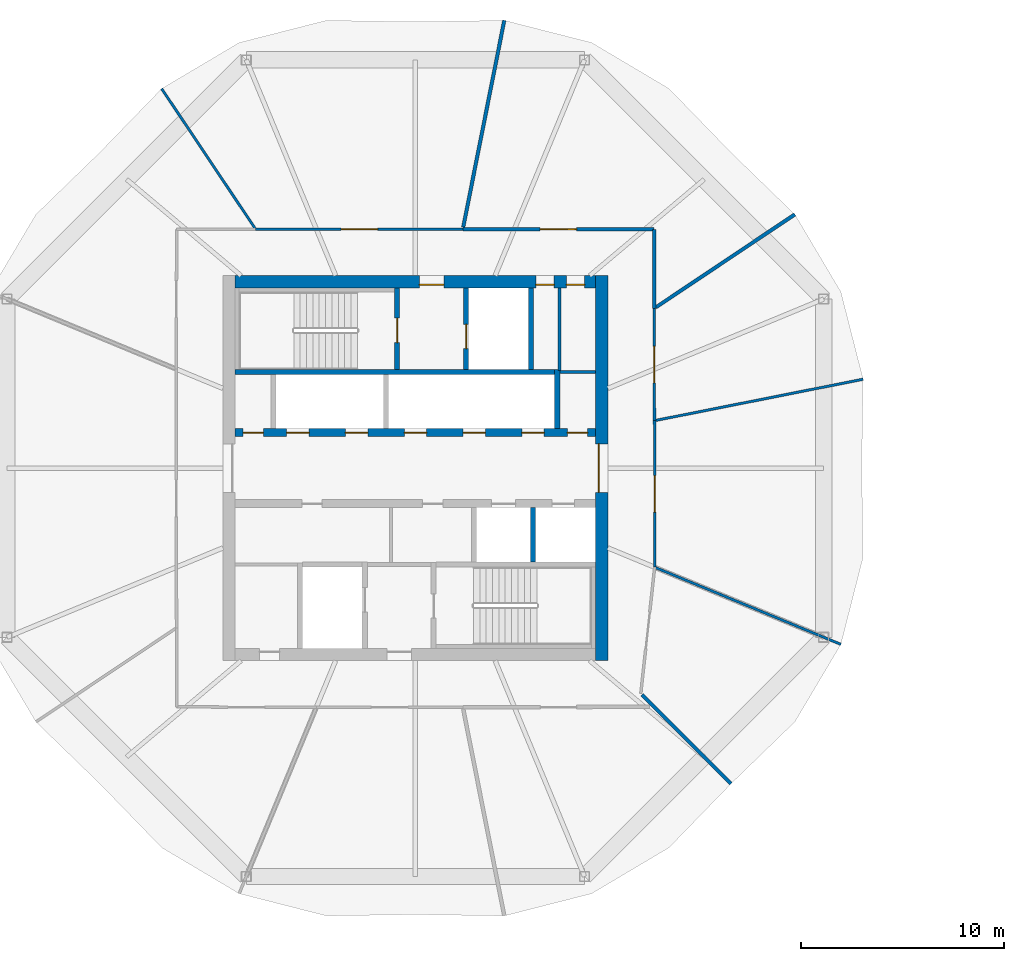
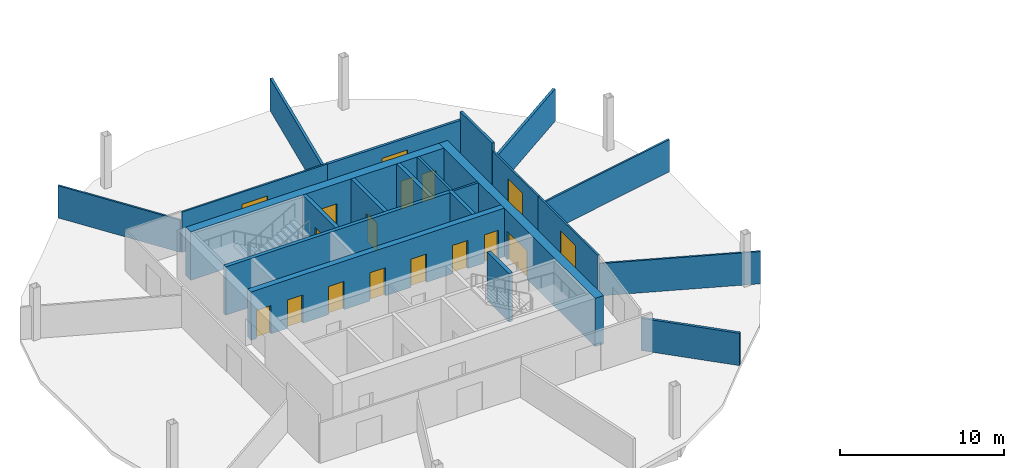
# One storey, part 6 of 10: 22 walls, 17 doors, 17 openings.
"""IFC4 building model written with IfcOpenShell, lengths in metres."""

from ifc_helpers import new_model, si_unit, direction, frame, frame_2d, origin, place, context, subcontext, project, spatial, rectangle, extrude, material, layer, layer_set, type_object, element, fill, save


model = new_model("IFC4")

# Units and contexts
model_context = context("Model", 3, precision=1e-05, world=origin(), true_north=direction((0.0, 1.0)))
body_context = subcontext(model_context, "Body", "Model", "MODEL_VIEW")
ifc_project = project(units=[si_unit("LENGTHUNIT", "METRE"), si_unit("AREAUNIT", "SQUARE_METRE"), si_unit("VOLUMEUNIT", "CUBIC_METRE"), si_unit("PLANEANGLEUNIT", "RADIAN"), si_unit("MASSUNIT", "GRAM", prefix="KILO")], contexts=[model_context])

# Site, building, storey
site_placement = place(None, origin())
site = spatial("IfcSite", under=ifc_project, at=site_placement, CompositionType="ELEMENT")
building_placement = place(site_placement, origin())
building = spatial("IfcBuilding", under=site, at=building_placement, Name="Ogive Gate Towers", CompositionType="ELEMENT")
storey_placement = place(building_placement, frame((0.0, 0.0, 169.5)))
storey = spatial("IfcBuildingStorey", under=building, at=storey_placement, Name="L40", CompositionType="ELEMENT", Elevation=169.5)

# Walls
ifc_material_1 = material(Name="Gypsum board acoustic partition")
ifc_layer_1 = layer(ifc_material_1, 0.175048828125)
ifc_layer_set_1 = layer_set([ifc_layer_1], Name="Acoustic partition 175")
wall_type_1 = type_object("IfcWallType", Name="Acoustic partition 175", PredefinedType="PARTITIONING", material=ifc_layer_set_1)
wall_1_placement = place(storey_placement, frame((-17.271728515625, 12.5234375, 0.0), z_axis=(0.0, 0.0, 1.0), x_axis=(-0.831276607887, -0.555858975982, 0.0)))
element("IfcWall", 1, at=wall_1_placement, inside=storey, type_object=wall_type_1, Name="Partition T1-L40-002", PredefinedType="PARTITIONING", context=body_context, shape_type="SweptSolid", body=[
    extrude(rectangle(XDim=8.26171875, YDim=0.175048828125, at=frame_2d((4.130859375, 0.0))), origin(), (0.0, 0.0, 1.0), 2.39990234375),
])
wall_2_placement = place(storey_placement, frame((-31.612548828125, 22.09814453125, 0.0), z_axis=(0.0, 0.0, 1.0), x_axis=(-0.194745070946, -0.980853891944, 0.0)))
element("IfcWall", 2, at=wall_2_placement, inside=storey, type_object=wall_type_1, Name="Partition T1-L40-003", PredefinedType="PARTITIONING", context=body_context, shape_type="SweptSolid", body=[
    extrude(rectangle(XDim=10.411376953125, YDim=0.175048828125, at=frame_2d((5.20556640625, 0.0))), origin(), (0.0, 0.0, 1.0), 2.39990234375),
])
wall_3_placement = place(storey_placement, frame((-20.423095703125, -15.576904296875, 0.0), z_axis=(0.0, 0.0, 1.0), x_axis=(-0.707106781187, 0.707106781187, 0.0)))
element("IfcWall", 3, at=wall_3_placement, inside=storey, type_object=wall_type_1, Name="Partition T1-L40-009", PredefinedType="PARTITIONING", context=body_context, shape_type="SweptSolid", body=[
    extrude(rectangle(XDim=6.21142578125, YDim=0.175048828125, at=frame_2d((3.105712890625, 0.0))), origin(), (0.0, 0.0, 1.0), 2.39990234375),
])

# Wall, opening, door
wall_4_placement = place(storey_placement, frame((-24.219970703125, 11.780029296875, 0.0), z_axis=(0.0, 0.0, 1.0), x_axis=(-0.999997694656, 0.002147250185, 0.0)))
wall_4 = element("IfcWall", 4, at=wall_4_placement, inside=storey, type_object=wall_type_1, Name="Partition T1-L40-022", PredefinedType="PARTITIONING", context=body_context, shape_type="SweptSolid", body=[
    extrude(rectangle(XDim=9.43701171875, YDim=0.175048828125, at=frame_2d((4.718505859375, 0.0))), origin(), (0.0, 0.0, 1.0), 3.0),
])
opening_1_placement = place(wall_4_placement, frame((3.819091796875, 0.0, 0.0)))
opening_1 = element("IfcOpeningElement", 5, at=opening_1_placement, cuts=wall_4, Name="Opening T1-L40-D10", PredefinedType="OPENING", context=body_context, shape_type="SweptSolid", body=[
    extrude(rectangle(XDim=1.800048828125, YDim=2.10009765625, at=frame_2d((0.89990234375, 1.050048828125))), frame((0.0, 0.09765625, 0.0), z_axis=(0.0, -1.0, 0.0), x_axis=(1.0, 0.0, 0.0)), (0.0, 0.0, 1.0), 0.195068359375),
])
ifc_material_2 = material(Name="Timber door", Category="wood")
door_type_1 = type_object("IfcDoorType", Name="Door pair 1800", OperationType="NOTDEFINED", PredefinedType="DOOR", material=ifc_material_2)
door_1_placement = place(opening_1_placement, origin())
door_1 = element("IfcDoor", 6, at=door_1_placement, inside=storey, type_object=door_type_1, Name="Door T1-L40-D10", OperationType="DOUBLE_DOOR_DOUBLE_SWING", OverallHeight=2.10009765625, OverallWidth=1.800048828125, PredefinedType="DOOR", context=body_context, shape_type="SweptSolid", body=[
    extrude(rectangle(XDim=1.800048828125, YDim=2.10009765625, at=frame_2d((0.89990234375, 1.050048828125))), frame((0.0, 0.02490234375, 0.0), z_axis=(0.0, -1.0, 0.0), x_axis=(1.0, 0.0, 0.0)), (0.0, 0.0, 1.0), 0.050048828125),
])
fill(opening_1, door_1)

# Wall
wall_5_placement = place(storey_placement, frame((-24.212158203125, 7.882568359375, 0.0), z_axis=(0.0, 0.0, 1.0), x_axis=(-0.002004506121, 0.999997990976, 0.0)))
element("IfcWall", 7, at=wall_5_placement, inside=storey, type_object=wall_type_1, Name="Partition T1-L40-023", PredefinedType="PARTITIONING", context=body_context, shape_type="SweptSolid", body=[
    extrude(rectangle(XDim=3.8974609375, YDim=0.175048828125, at=frame_2d((1.94873046875, 0.0))), origin(), (0.0, 0.0, 1.0), 3.60009765625),
])

# Wall, openings, doors
ifc_material_3 = material(Name="Concrete C60/75", Category="concrete")
ifc_layer_2 = layer(ifc_material_3, 0.60009765625)
ifc_layer_set_2 = layer_set([ifc_layer_2], Name="Core wall 600 mm")
wall_type_2 = type_object("IfcWallType", Name="Core wall 600 mm", PredefinedType="SHEAR", material=ifc_layer_set_2)
wall_6_placement = place(storey_placement, frame((-44.89990234375, 9.199951171875, 0.0), z_axis=(0.0, 0.0, 1.0), x_axis=(1.0, 0.0, 0.0)))
wall_6 = element("IfcWall", 8, at=wall_6_placement, inside=storey, type_object=wall_type_2, Name="T1 L40 Core wall 600 mm", PredefinedType="SHEAR", context=body_context, shape_type="SweptSolid", body=[
    extrude(rectangle(XDim=17.7998046875, YDim=0.60009765625, at=frame_2d((8.89990234375, 0.0))), origin(), (0.0, 0.0, 1.0), 3.60009765625),
])
opening_2_placement = place(wall_6_placement, frame((9.10009765625, 0.0, 0.0)))
opening_2 = element("IfcOpeningElement", 9, at=opening_2_placement, cuts=wall_6, Name="Opening KD-T1-L40-18", PredefinedType="OPENING", context=body_context, shape_type="SweptSolid", body=[
    extrude(rectangle(XDim=1.199951171875, YDim=2.10009765625, at=frame_2d((0.60009765625, 1.050048828125))), frame((0.0, 0.31005859375, 0.0), z_axis=(0.0, -1.0, 0.0), x_axis=(1.0, 0.0, 0.0)), (0.0, 0.0, 1.0), 0.6201171875),
])
opening_3_placement = place(wall_6_placement, frame((14.85009765625, 0.0, 0.0)))
opening_3 = element("IfcOpeningElement", 10, at=opening_3_placement, cuts=wall_6, Name="Opening KD-T1-L40-20", PredefinedType="OPENING", context=body_context, shape_type="SweptSolid", body=[
    extrude(rectangle(XDim=0.89990234375, YDim=2.10009765625, at=frame_2d((0.449951171875, 1.050048828125))), frame((0.0, 0.31005859375, 0.0), z_axis=(0.0, -1.0, 0.0), x_axis=(1.0, 0.0, 0.0)), (0.0, 0.0, 1.0), 0.6201171875),
])
opening_4_placement = place(wall_6_placement, frame((16.35009765625, 0.0, 0.0)))
opening_4 = element("IfcOpeningElement", 11, at=opening_4_placement, cuts=wall_6, Name="Opening KD-T1-L40-21", PredefinedType="OPENING", context=body_context, shape_type="SweptSolid", body=[
    extrude(rectangle(XDim=0.89990234375, YDim=2.10009765625, at=frame_2d((0.449951171875, 1.050048828125))), frame((0.0, 0.31005859375, 0.0), z_axis=(0.0, -1.0, 0.0), x_axis=(1.0, 0.0, 0.0)), (0.0, 0.0, 1.0), 0.6201171875),
])
door_type_2 = type_object("IfcDoorType", Name="Core WC door 900 x 2100", OperationType="NOTDEFINED", PredefinedType="DOOR", material=ifc_material_2)
door_2_placement = place(opening_3_placement, origin())
door_2 = element("IfcDoor", 12, at=door_2_placement, inside=storey, type_object=door_type_2, Name="T1 L40 Core door", OperationType="SINGLE_SWING_LEFT", OverallHeight=2.10009765625, OverallWidth=0.89990234375, PredefinedType="DOOR", context=body_context, shape_type="SweptSolid", body=[
    extrude(rectangle(XDim=0.89990234375, YDim=2.10009765625, at=frame_2d((0.449951171875, 1.050048828125))), frame((0.0, -0.125, 0.0), z_axis=(0.0, -1.0, 0.0), x_axis=(1.0, 0.0, 0.0)), (0.0, 0.0, 1.0), 0.050048828125),
])
fill(opening_3, door_2)
door_3_placement = place(opening_4_placement, origin())
door_3 = element("IfcDoor", 13, at=door_3_placement, inside=storey, type_object=door_type_2, Name="T1 L40 Core door", OperationType="SINGLE_SWING_RIGHT", OverallHeight=2.10009765625, OverallWidth=0.89990234375, PredefinedType="DOOR", context=body_context, shape_type="SweptSolid", body=[
    extrude(rectangle(XDim=0.89990234375, YDim=2.10009765625, at=frame_2d((0.449951171875, 1.050048828125))), frame((0.0, -0.125, 0.0), z_axis=(0.0, -1.0, 0.0), x_axis=(1.0, 0.0, 0.0)), (0.0, 0.0, 1.0), 0.050048828125),
])
fill(opening_4, door_3)
ifc_material_4 = material(Name="Steel fire door", Category="steel")
door_type_3 = type_object("IfcDoorType", Name="Core door FD60S 1200 x 2100", OperationType="NOTDEFINED", PredefinedType="DOOR", material=ifc_material_4)
door_4_placement = place(opening_2_placement, origin())
door_4 = element("IfcDoor", 14, at=door_4_placement, inside=storey, type_object=door_type_3, Name="T1 L40 Fire-fighting lobby door", OperationType="SINGLE_SWING_LEFT", OverallHeight=2.10009765625, OverallWidth=1.199951171875, PredefinedType="DOOR", context=body_context, shape_type="SweptSolid", body=[
    extrude(rectangle(XDim=1.199951171875, YDim=2.10009765625, at=frame_2d((0.60009765625, 1.050048828125))), frame((0.0, -0.125, 0.0), z_axis=(0.0, -1.0, 0.0), x_axis=(1.0, 0.0, 0.0)), (0.0, 0.0, 1.0), 0.050048828125),
])
fill(opening_2, door_4)

# Wall, opening, door
wall_7_placement = place(storey_placement, frame((-26.800048828125, -9.5, 0.0), z_axis=(0.0, 0.0, 1.0), x_axis=(0.0, 1.0, 0.0)))
wall_7 = element("IfcWall", 15, at=wall_7_placement, inside=storey, type_object=wall_type_2, Name="T1 L40 Core wall 600 mm", PredefinedType="SHEAR", context=body_context, shape_type="SweptSolid", body=[
    extrude(rectangle(XDim=19.0, YDim=0.60009765625, at=frame_2d((9.5, 0.0))), origin(), (0.0, 0.0, 1.0), 3.60009765625),
])
opening_5_placement = place(wall_7_placement, frame((8.300048828125, 0.0, 0.0)))
opening_5 = element("IfcOpeningElement", 16, at=opening_5_placement, cuts=wall_7, Name="Opening KD-T1-L40-02", PredefinedType="OPENING", context=body_context, shape_type="SweptSolid", body=[
    extrude(rectangle(XDim=2.39990234375, YDim=2.10009765625, at=frame_2d((1.199951171875, 1.050048828125))), frame((0.0, 0.31005859375, 0.0), z_axis=(0.0, -1.0, 0.0), x_axis=(1.0, 0.0, 0.0)), (0.0, 0.0, 1.0), 0.6201171875),
])
door_type_4 = type_object("IfcDoorType", Name="Core double door FD60S 2400 x 2100", OperationType="DOUBLE_DOOR_SINGLE_SWING", PredefinedType="DOOR", material=ifc_material_4)
door_5_placement = place(opening_5_placement, origin())
door_5 = element("IfcDoor", 17, at=door_5_placement, inside=storey, type_object=door_type_4, Name="T1 L40 Core door double", OperationType="DOUBLE_DOOR_SINGLE_SWING", OverallHeight=2.10009765625, OverallWidth=2.39990234375, PredefinedType="DOOR", context=body_context, shape_type="SweptSolid", body=[
    extrude(rectangle(XDim=2.39990234375, YDim=2.10009765625, at=frame_2d((1.199951171875, 1.050048828125))), frame((0.0, 0.1748046875, 0.0), z_axis=(0.0, -1.0, 0.0), x_axis=(1.0, 0.0, 0.0)), (0.0, 0.0, 1.0), 0.050048828125),
])
fill(opening_5, door_5)

# Walls
ifc_material_5 = material(Name="Gypsum board partition")
ifc_layer_3 = layer(ifc_material_5, 0.125)
ifc_layer_set_3 = layer_set([ifc_layer_3], Name="Partition 125")
wall_type_3 = type_object("IfcWallType", Name="Partition 125", PredefinedType="PARTITIONING", material=ifc_layer_set_3)
wall_8_placement = place(storey_placement, frame((-13.90185546875, 4.387451171875, 0.0), z_axis=(0.0, 0.0, 1.0), x_axis=(-0.980853242428, -0.194748342274, 0.0)))
element("IfcWall", 18, at=wall_8_placement, inside=storey, type_object=wall_type_3, Name="Partition T1-L40-001", PredefinedType="PARTITIONING", context=body_context, shape_type="SweptSolid", body=[
    extrude(rectangle(XDim=10.436279296875, YDim=0.125, at=frame_2d((5.21826171875, 0.0))), origin(), (0.0, 0.0, 1.0), 2.39990234375),
])
wall_9_placement = place(storey_placement, frame((-48.5234375, 18.728271484375, 0.0), z_axis=(0.0, 0.0, 1.0), x_axis=(0.555862276256, -0.831274401047, 0.0)))
element("IfcWall", 19, at=wall_9_placement, inside=storey, type_object=wall_type_3, Name="Partition T1-L40-004", PredefinedType="PARTITIONING", context=body_context, shape_type="SweptSolid", body=[
    extrude(rectangle(XDim=8.28662109375, YDim=0.125, at=frame_2d((4.143310546875, 0.0))), origin(), (0.0, 0.0, 1.0), 2.39990234375),
])
wall_10_placement = place(storey_placement, frame((-15.000244140625, -8.698486328125, 0.0), z_axis=(0.0, 0.0, 1.0), x_axis=(-0.923875671633, 0.382692753216, 0.0)))
element("IfcWall", 20, at=wall_10_placement, inside=storey, type_object=wall_type_3, Name="Partition T1-L40-010", PredefinedType="PARTITIONING", context=body_context, shape_type="SweptSolid", body=[
    extrude(rectangle(XDim=9.886474609375, YDim=0.125, at=frame_2d((4.943359375, 0.0))), origin(), (0.0, 0.0, 1.0), 2.39990234375),
])

# Wall, opening, door
wall_11_placement = place(storey_placement, frame((-33.656982421875, 11.80029296875, 0.0), z_axis=(0.0, 0.0, 1.0), x_axis=(-0.999999258667, -0.001217647841, 0.0)))
wall_11 = element("IfcWall", 21, at=wall_11_placement, inside=storey, type_object=wall_type_3, Name="Partition T1-L40-011", PredefinedType="PARTITIONING", context=body_context, shape_type="SweptSolid", body=[
    extrude(rectangle(XDim=10.2255859375, YDim=0.125, at=frame_2d((5.11279296875, 0.0))), origin(), (0.0, 0.0, 1.0), 3.0),
])
opening_6_placement = place(wall_11_placement, frame((4.212890625, 0.0, 0.0)))
opening_6 = element("IfcOpeningElement", 22, at=opening_6_placement, cuts=wall_11, Name="Opening T1-L40-D01", PredefinedType="OPENING", context=body_context, shape_type="SweptSolid", body=[
    extrude(rectangle(XDim=1.800048828125, YDim=2.10009765625, at=frame_2d((0.89990234375, 1.050048828125))), frame((0.0, 0.072509765625, 0.0), z_axis=(0.0, -1.0, 0.0), x_axis=(1.0, 0.0, 0.0)), (0.0, 0.0, 1.0), 0.14501953125),
])
door_6_placement = place(opening_6_placement, origin())
door_6 = element("IfcDoor", 23, at=door_6_placement, inside=storey, type_object=door_type_1, Name="Door T1-L40-D01", OperationType="DOUBLE_DOOR_DOUBLE_SWING", OverallHeight=2.10009765625, OverallWidth=1.800048828125, PredefinedType="DOOR", context=body_context, shape_type="SweptSolid", body=[
    extrude(rectangle(XDim=1.800048828125, YDim=2.10009765625, at=frame_2d((0.89990234375, 1.050048828125))), frame((0.0, 0.02490234375, 0.0), z_axis=(0.0, -1.0, 0.0), x_axis=(1.0, 0.0, 0.0)), (0.0, 0.0, 1.0), 0.050048828125),
])
fill(opening_6, door_6)

wall_12_placement = place(storey_placement, frame((-24.19189453125, -4.89111328125, 0.0), z_axis=(0.0, 0.0, 1.0), x_axis=(-0.001079949423, 0.999999416854, 0.0)))
wall_12 = element("IfcWall", 24, at=wall_12_placement, inside=storey, type_object=wall_type_3, Name="Partition T1-L40-020", PredefinedType="PARTITIONING", context=body_context, shape_type="SweptSolid", body=[
    extrude(rectangle(XDim=7.234130859375, YDim=0.125, at=frame_2d((3.6171875, 0.0))), origin(), (0.0, 0.0, 1.0), 3.0),
])
opening_7_placement = place(wall_12_placement, frame((2.717041015625, 0.0, 0.0)))
opening_7 = element("IfcOpeningElement", 25, at=opening_7_placement, cuts=wall_12, Name="Opening T1-L40-D08", PredefinedType="OPENING", context=body_context, shape_type="SweptSolid", body=[
    extrude(rectangle(XDim=1.800048828125, YDim=2.10009765625, at=frame_2d((0.89990234375, 1.050048828125))), frame((0.0, 0.072509765625, 0.0), z_axis=(0.0, -1.0, 0.0), x_axis=(1.0, 0.0, 0.0)), (0.0, 0.0, 1.0), 0.14501953125),
])
door_7_placement = place(opening_7_placement, origin())
door_7 = element("IfcDoor", 26, at=door_7_placement, inside=storey, type_object=door_type_1, Name="Door T1-L40-D08", OperationType="DOUBLE_DOOR_DOUBLE_SWING", OverallHeight=2.10009765625, OverallWidth=1.800048828125, PredefinedType="DOOR", context=body_context, shape_type="SweptSolid", body=[
    extrude(rectangle(XDim=1.800048828125, YDim=2.10009765625, at=frame_2d((0.89990234375, 1.050048828125))), frame((0.0, 0.02490234375, 0.0), z_axis=(0.0, -1.0, 0.0), x_axis=(1.0, 0.0, 0.0)), (0.0, 0.0, 1.0), 0.050048828125),
])
fill(opening_7, door_7)

wall_13_placement = place(storey_placement, frame((-24.19970703125, 2.343017578125, 0.0), z_axis=(0.0, 0.0, 1.0), x_axis=(-0.002247680528, 0.999997473963, 0.0)))
wall_13 = element("IfcWall", 27, at=wall_13_placement, inside=storey, type_object=wall_type_3, Name="Partition T1-L40-021", PredefinedType="PARTITIONING", context=body_context, shape_type="SweptSolid", body=[
    extrude(rectangle(XDim=5.53955078125, YDim=0.125, at=frame_2d((2.769775390625, 0.0))), origin(), (0.0, 0.0, 1.0), 3.0),
])
opening_8_placement = place(wall_13_placement, frame((1.8701171875, 0.0, 0.0)))
opening_8 = element("IfcOpeningElement", 28, at=opening_8_placement, cuts=wall_13, Name="Opening T1-L40-D09", PredefinedType="OPENING", context=body_context, shape_type="SweptSolid", body=[
    extrude(rectangle(XDim=1.800048828125, YDim=2.10009765625, at=frame_2d((0.89990234375, 1.050048828125))), frame((0.0, 0.072509765625, 0.0), z_axis=(0.0, -1.0, 0.0), x_axis=(1.0, 0.0, 0.0)), (0.0, 0.0, 1.0), 0.14501953125),
])
door_8_placement = place(opening_8_placement, origin())
door_8 = element("IfcDoor", 29, at=door_8_placement, inside=storey, type_object=door_type_1, Name="Door T1-L40-D09", OperationType="DOUBLE_DOOR_DOUBLE_SWING", OverallHeight=2.10009765625, OverallWidth=1.800048828125, PredefinedType="DOOR", context=body_context, shape_type="SweptSolid", body=[
    extrude(rectangle(XDim=1.800048828125, YDim=2.10009765625, at=frame_2d((0.89990234375, 1.050048828125))), frame((0.0, 0.02490234375, 0.0), z_axis=(0.0, -1.0, 0.0), x_axis=(1.0, 0.0, 0.0)), (0.0, 0.0, 1.0), 0.050048828125),
])
fill(opening_8, door_8)

# Walls
ifc_layer_4 = layer(ifc_material_5, 0.14990234375)
ifc_layer_set_4 = layer_set([ifc_layer_4], Name="Room partition 150 mm")
wall_type_4 = type_object("IfcWallType", Name="Room partition 150 mm", PredefinedType="PARTITIONING", material=ifc_layer_set_4)
wall_14_placement = place(storey_placement, frame((-28.875, 4.75, 0.0), z_axis=(0.0, 0.0, 1.0), x_axis=(1.0, 0.0, 0.0)))
element("IfcWall", 30, at=wall_14_placement, inside=storey, type_object=wall_type_4, Name="T1 L40 Room partition 150 mm", PredefinedType="PARTITIONING", context=body_context, shape_type="SweptSolid", body=[
    extrude(rectangle(XDim=1.77490234375, YDim=0.14990234375, at=frame_2d((0.887451171875, 0.0))), origin(), (0.0, 0.0, 1.0), 3.60009765625),
])
wall_15_placement = place(storey_placement, frame((-28.89990234375, 4.824951171875, 0.0), z_axis=(0.0, 0.0, 1.0), x_axis=(0.0, 1.0, 0.0)))
element("IfcWall", 31, at=wall_15_placement, inside=storey, type_object=wall_type_4, Name="T1 L40 Room partition 150 mm", PredefinedType="PARTITIONING", context=body_context, shape_type="SweptSolid", body=[
    extrude(rectangle(XDim=4.074951171875, YDim=0.14990234375, at=frame_2d((2.03759765625, 0.0))), origin(), (0.0, 0.0, 1.0), 3.60009765625),
])
ifc_layer_5 = layer(ifc_material_3, 0.25)
ifc_layer_set_5 = layer_set([ifc_layer_5], Name="Shaft wall 250 mm")
wall_type_5 = type_object("IfcWallType", Name="Shaft wall 250 mm", PredefinedType="SHEAR", material=ifc_layer_set_5)
wall_16_placement = place(storey_placement, frame((-44.89990234375, 4.75, 0.0), z_axis=(0.0, 0.0, 1.0), x_axis=(1.0, 0.0, 0.0)))
element("IfcWall", 32, at=wall_16_placement, inside=storey, type_object=wall_type_5, Name="T1 L40 Shaft wall 250 mm", PredefinedType="SHEAR", context=body_context, shape_type="SweptSolid", body=[
    extrude(rectangle(XDim=15.77490234375, YDim=0.25, at=frame_2d((7.887451171875, 0.0))), origin(), (0.0, 0.0, 1.0), 3.60009765625),
])

# Wall, opening, door
wall_17_placement = place(storey_placement, frame((-36.89990234375, 4.875, 0.0), z_axis=(0.0, 0.0, 1.0), x_axis=(0.0, 1.0, 0.0)))
wall_17 = element("IfcWall", 33, at=wall_17_placement, inside=storey, type_object=wall_type_5, Name="T1 L40 Shaft wall 250 mm", PredefinedType="SHEAR", context=body_context, shape_type="SweptSolid", body=[
    extrude(rectangle(XDim=4.02490234375, YDim=0.25, at=frame_2d((2.012451171875, 0.0))), origin(), (0.0, 0.0, 1.0), 3.60009765625),
])
opening_9_placement = place(wall_17_placement, frame((1.324951171875, 0.0, 0.0)))
opening_9 = element("IfcOpeningElement", 34, at=opening_9_placement, cuts=wall_17, Name="Opening KD-T1-L40-16", PredefinedType="OPENING", context=body_context, shape_type="SweptSolid", body=[
    extrude(rectangle(XDim=1.199951171875, YDim=2.10009765625, at=frame_2d((0.60009765625, 1.050048828125))), frame((0.0, 0.135009765625, 0.0), z_axis=(0.0, -1.0, 0.0), x_axis=(1.0, 0.0, 0.0)), (0.0, 0.0, 1.0), 0.27001953125),
])
door_9_placement = place(opening_9_placement, origin())
door_9 = element("IfcDoor", 35, at=door_9_placement, inside=storey, type_object=door_type_3, Name="T1 L40 Stair door", OperationType="SINGLE_SWING_LEFT", OverallHeight=2.10009765625, OverallWidth=1.199951171875, PredefinedType="DOOR", context=body_context, shape_type="SweptSolid", body=[
    extrude(rectangle(XDim=1.199951171875, YDim=2.10009765625, at=frame_2d((0.60009765625, 1.050048828125))), frame((0.0, 0.02490234375, 0.0), z_axis=(0.0, -1.0, 0.0), x_axis=(1.0, 0.0, 0.0)), (0.0, 0.0, 1.0), 0.050048828125),
])
fill(opening_9, door_9)

wall_18_placement = place(storey_placement, frame((-33.5, 4.875, 0.0), z_axis=(0.0, 0.0, 1.0), x_axis=(0.0, 1.0, 0.0)))
wall_18 = element("IfcWall", 36, at=wall_18_placement, inside=storey, type_object=wall_type_5, Name="T1 L40 Shaft wall 250 mm", PredefinedType="SHEAR", context=body_context, shape_type="SweptSolid", body=[
    extrude(rectangle(XDim=4.02490234375, YDim=0.25, at=frame_2d((2.012451171875, 0.0))), origin(), (0.0, 0.0, 1.0), 3.60009765625),
])
opening_10_placement = place(wall_18_placement, frame((1.02490234375, 0.0, 0.0)))
opening_10 = element("IfcOpeningElement", 37, at=opening_10_placement, cuts=wall_18, Name="Opening LD-T1-L40-12", PredefinedType="OPENING", context=body_context, shape_type="SweptSolid", body=[
    extrude(rectangle(XDim=1.199951171875, YDim=2.10009765625, at=frame_2d((0.60009765625, 1.050048828125))), frame((0.0, 0.135009765625, 0.0), z_axis=(0.0, -1.0, 0.0), x_axis=(1.0, 0.0, 0.0)), (0.0, 0.0, 1.0), 0.27001953125),
])
ifc_material_6 = material(Name="Stainless steel landing door", Category="steel")
door_type_5 = type_object("IfcDoorType", Name="Landing door 1200 x 2100", OperationType="SLIDING_TO_LEFT", PredefinedType="DOOR", material=ifc_material_6)
door_10_placement = place(opening_10_placement, origin())
door_10 = element("IfcDoor", 38, at=door_10_placement, inside=storey, type_object=door_type_5, Name="T1 L40 Lift landing door FF1", OperationType="SLIDING_TO_LEFT", OverallHeight=2.10009765625, OverallWidth=1.199951171875, PredefinedType="DOOR", context=body_context, shape_type="SweptSolid", body=[
    extrude(rectangle(XDim=1.199951171875, YDim=2.10009765625, at=frame_2d((0.60009765625, 1.050048828125))), frame((0.0, 0.02490234375, 0.0), z_axis=(0.0, -1.0, 0.0), x_axis=(1.0, 0.0, 0.0)), (0.0, 0.0, 1.0), 0.050048828125),
])
fill(opening_10, door_10)

# Walls
wall_19_placement = place(storey_placement, frame((-30.300048828125, 4.875, 0.0), z_axis=(0.0, 0.0, 1.0), x_axis=(0.0, 1.0, 0.0)))
element("IfcWall", 39, at=wall_19_placement, inside=storey, type_object=wall_type_5, Name="T1 L40 Shaft wall 250 mm", PredefinedType="SHEAR", context=body_context, shape_type="SweptSolid", body=[
    extrude(rectangle(XDim=4.02490234375, YDim=0.25, at=frame_2d((2.012451171875, 0.0))), origin(), (0.0, 0.0, 1.0), 3.60009765625),
])
wall_20_placement = place(storey_placement, frame((-30.199951171875, -4.625, 0.0), z_axis=(0.0, 0.0, 1.0), x_axis=(0.0, 1.0, 0.0)))
element("IfcWall", 40, at=wall_20_placement, inside=storey, type_object=wall_type_5, Name="T1 L40 Shaft wall 250 mm", PredefinedType="SHEAR", context=body_context, shape_type="SweptSolid", body=[
    extrude(rectangle(XDim=2.675048828125, YDim=0.25, at=frame_2d((1.33740234375, 0.0))), origin(), (0.0, 0.0, 1.0), 3.60009765625),
])
wall_21_placement = place(storey_placement, frame((-29.0, 1.949951171875, 0.0), z_axis=(0.0, 0.0, 1.0), x_axis=(0.0, 1.0, 0.0)))
element("IfcWall", 41, at=wall_21_placement, inside=storey, type_object=wall_type_5, Name="T1 L40 Shaft wall 250 mm", PredefinedType="SHEAR", context=body_context, shape_type="SweptSolid", body=[
    extrude(rectangle(XDim=2.925048828125, YDim=0.25, at=frame_2d((1.46240234375, 0.0))), origin(), (0.0, 0.0, 1.0), 3.60009765625),
])

# Wall, openings, doors
ifc_layer_6 = layer(ifc_material_3, 0.39990234375)
ifc_layer_set_6 = layer_set([ifc_layer_6], Name="Spine wall 400 mm")
wall_type_6 = type_object("IfcWallType", Name="Spine wall 400 mm", PredefinedType="SHEAR", material=ifc_layer_set_6)
wall_22_placement = place(storey_placement, frame((-44.89990234375, 1.75, 0.0), z_axis=(0.0, 0.0, 1.0), x_axis=(1.0, 0.0, 0.0)))
wall_22 = element("IfcWall", 42, at=wall_22_placement, inside=storey, type_object=wall_type_6, Name="T1 L40 Spine wall 400 mm", PredefinedType="SHEAR", context=body_context, shape_type="SweptSolid", body=[
    extrude(rectangle(XDim=17.7998046875, YDim=0.39990234375, at=frame_2d((8.89990234375, 0.0))), origin(), (0.0, 0.0, 1.0), 3.60009765625),
])
opening_11_placement = place(wall_22_placement, frame((0.39990234375, 0.0, 0.0)))
opening_11 = element("IfcOpeningElement", 43, at=opening_11_placement, cuts=wall_22, Name="Opening KD-T1-L40-03", PredefinedType="OPENING", context=body_context, shape_type="SweptSolid", body=[
    extrude(rectangle(XDim=1.0, YDim=2.10009765625, at=frame_2d((0.5, 1.050048828125))), frame((0.0, 0.2099609375, 0.0), z_axis=(0.0, -1.0, 0.0), x_axis=(1.0, 0.0, 0.0)), (0.0, 0.0, 1.0), 0.419921875),
])
opening_12_placement = place(wall_22_placement, frame((2.550048828125, 0.0, 0.0)))
opening_12 = element("IfcOpeningElement", 44, at=opening_12_placement, cuts=wall_22, Name="Opening LD-T1-L40-04", PredefinedType="OPENING", context=body_context, shape_type="SweptSolid", body=[
    extrude(rectangle(XDim=1.10009765625, YDim=2.10009765625, at=frame_2d((0.550048828125, 1.050048828125))), frame((0.0, 0.2099609375, 0.0), z_axis=(0.0, -1.0, 0.0), x_axis=(1.0, 0.0, 0.0)), (0.0, 0.0, 1.0), 0.419921875),
])
opening_13_placement = place(wall_22_placement, frame((5.449951171875, 0.0, 0.0)))
opening_13 = element("IfcOpeningElement", 45, at=opening_13_placement, cuts=wall_22, Name="Opening LD-T1-L40-05", PredefinedType="OPENING", context=body_context, shape_type="SweptSolid", body=[
    extrude(rectangle(XDim=1.10009765625, YDim=2.10009765625, at=frame_2d((0.550048828125, 1.050048828125))), frame((0.0, 0.2099609375, 0.0), z_axis=(0.0, -1.0, 0.0), x_axis=(1.0, 0.0, 0.0)), (0.0, 0.0, 1.0), 0.419921875),
])
opening_14_placement = place(wall_22_placement, frame((8.35009765625, 0.0, 0.0)))
opening_14 = element("IfcOpeningElement", 46, at=opening_14_placement, cuts=wall_22, Name="Opening LD-T1-L40-06", PredefinedType="OPENING", context=body_context, shape_type="SweptSolid", body=[
    extrude(rectangle(XDim=1.10009765625, YDim=2.10009765625, at=frame_2d((0.550048828125, 1.050048828125))), frame((0.0, 0.2099609375, 0.0), z_axis=(0.0, -1.0, 0.0), x_axis=(1.0, 0.0, 0.0)), (0.0, 0.0, 1.0), 0.419921875),
])
opening_15_placement = place(wall_22_placement, frame((11.25, 0.0, 0.0)))
opening_15 = element("IfcOpeningElement", 47, at=opening_15_placement, cuts=wall_22, Name="Opening LD-T1-L40-07", PredefinedType="OPENING", context=body_context, shape_type="SweptSolid", body=[
    extrude(rectangle(XDim=1.10009765625, YDim=2.10009765625, at=frame_2d((0.550048828125, 1.050048828125))), frame((0.0, 0.2099609375, 0.0), z_axis=(0.0, -1.0, 0.0), x_axis=(1.0, 0.0, 0.0)), (0.0, 0.0, 1.0), 0.419921875),
])
opening_16_placement = place(wall_22_placement, frame((14.14990234375, 0.0, 0.0)))
opening_16 = element("IfcOpeningElement", 48, at=opening_16_placement, cuts=wall_22, Name="Opening LD-T1-L40-08", PredefinedType="OPENING", context=body_context, shape_type="SweptSolid", body=[
    extrude(rectangle(XDim=1.10009765625, YDim=2.10009765625, at=frame_2d((0.550048828125, 1.050048828125))), frame((0.0, 0.2099609375, 0.0), z_axis=(0.0, -1.0, 0.0), x_axis=(1.0, 0.0, 0.0)), (0.0, 0.0, 1.0), 0.419921875),
])
opening_17_placement = place(wall_22_placement, frame((16.39990234375, 0.0, 0.0)))
opening_17 = element("IfcOpeningElement", 49, at=opening_17_placement, cuts=wall_22, Name="Opening KD-T1-L40-09", PredefinedType="OPENING", context=body_context, shape_type="SweptSolid", body=[
    extrude(rectangle(XDim=1.0, YDim=2.10009765625, at=frame_2d((0.5, 1.050048828125))), frame((0.0, 0.2099609375, 0.0), z_axis=(0.0, -1.0, 0.0), x_axis=(1.0, 0.0, 0.0)), (0.0, 0.0, 1.0), 0.419921875),
])
door_type_6 = type_object("IfcDoorType", Name="Core door FD60S 1000 x 2100", OperationType="NOTDEFINED", PredefinedType="DOOR", material=ifc_material_4)
door_11_placement = place(opening_11_placement, origin())
door_11 = element("IfcDoor", 50, at=door_11_placement, inside=storey, type_object=door_type_6, Name="T1 L40 Core door", OperationType="SINGLE_SWING_RIGHT", OverallHeight=2.10009765625, OverallWidth=1.0, PredefinedType="DOOR", context=body_context, shape_type="SweptSolid", body=[
    extrude(rectangle(XDim=1.0, YDim=2.10009765625, at=frame_2d((0.5, 1.050048828125))), frame((0.0, 0.02490234375, 0.0), z_axis=(0.0, -1.0, 0.0), x_axis=(1.0, 0.0, 0.0)), (0.0, 0.0, 1.0), 0.050048828125),
])
fill(opening_11, door_11)
door_12_placement = place(opening_17_placement, origin())
door_12 = element("IfcDoor", 51, at=door_12_placement, inside=storey, type_object=door_type_6, Name="T1 L40 Core door", OperationType="SINGLE_SWING_RIGHT", OverallHeight=2.10009765625, OverallWidth=1.0, PredefinedType="DOOR", context=body_context, shape_type="SweptSolid", body=[
    extrude(rectangle(XDim=1.0, YDim=2.10009765625, at=frame_2d((0.5, 1.050048828125))), frame((0.0, 0.02490234375, 0.0), z_axis=(0.0, -1.0, 0.0), x_axis=(1.0, 0.0, 0.0)), (0.0, 0.0, 1.0), 0.050048828125),
])
fill(opening_17, door_12)
door_type_7 = type_object("IfcDoorType", Name="Landing door 1100 x 2100", OperationType="SLIDING_TO_LEFT", PredefinedType="DOOR", material=ifc_material_6)
door_13_placement = place(opening_12_placement, origin())
door_13 = element("IfcDoor", 52, at=door_13_placement, inside=storey, type_object=door_type_7, Name="T1 L40 Lift landing door B1", OperationType="SLIDING_TO_LEFT", OverallHeight=2.10009765625, OverallWidth=1.10009765625, PredefinedType="DOOR", context=body_context, shape_type="SweptSolid", body=[
    extrude(rectangle(XDim=1.10009765625, YDim=2.10009765625, at=frame_2d((0.550048828125, 1.050048828125))), frame((0.0, 0.02490234375, 0.0), z_axis=(0.0, -1.0, 0.0), x_axis=(1.0, 0.0, 0.0)), (0.0, 0.0, 1.0), 0.050048828125),
])
fill(opening_12, door_13)
door_14_placement = place(opening_13_placement, origin())
door_14 = element("IfcDoor", 53, at=door_14_placement, inside=storey, type_object=door_type_7, Name="T1 L40 Lift landing door B2", OperationType="SLIDING_TO_LEFT", OverallHeight=2.10009765625, OverallWidth=1.10009765625, PredefinedType="DOOR", context=body_context, shape_type="SweptSolid", body=[
    extrude(rectangle(XDim=1.10009765625, YDim=2.10009765625, at=frame_2d((0.550048828125, 1.050048828125))), frame((0.0, 0.02490234375, 0.0), z_axis=(0.0, -1.0, 0.0), x_axis=(1.0, 0.0, 0.0)), (0.0, 0.0, 1.0), 0.050048828125),
])
fill(opening_13, door_14)
door_15_placement = place(opening_14_placement, origin())
door_15 = element("IfcDoor", 54, at=door_15_placement, inside=storey, type_object=door_type_7, Name="T1 L40 Lift landing door B3", OperationType="SLIDING_TO_LEFT", OverallHeight=2.10009765625, OverallWidth=1.10009765625, PredefinedType="DOOR", context=body_context, shape_type="SweptSolid", body=[
    extrude(rectangle(XDim=1.10009765625, YDim=2.10009765625, at=frame_2d((0.550048828125, 1.050048828125))), frame((0.0, 0.02490234375, 0.0), z_axis=(0.0, -1.0, 0.0), x_axis=(1.0, 0.0, 0.0)), (0.0, 0.0, 1.0), 0.050048828125),
])
fill(opening_14, door_15)
door_16_placement = place(opening_15_placement, origin())
door_16 = element("IfcDoor", 55, at=door_16_placement, inside=storey, type_object=door_type_7, Name="T1 L40 Lift landing door B4", OperationType="SLIDING_TO_LEFT", OverallHeight=2.10009765625, OverallWidth=1.10009765625, PredefinedType="DOOR", context=body_context, shape_type="SweptSolid", body=[
    extrude(rectangle(XDim=1.10009765625, YDim=2.10009765625, at=frame_2d((0.550048828125, 1.050048828125))), frame((0.0, 0.02490234375, 0.0), z_axis=(0.0, -1.0, 0.0), x_axis=(1.0, 0.0, 0.0)), (0.0, 0.0, 1.0), 0.050048828125),
])
fill(opening_15, door_16)
door_17_placement = place(opening_16_placement, origin())
door_17 = element("IfcDoor", 56, at=door_17_placement, inside=storey, type_object=door_type_7, Name="T1 L40 Lift landing door B5", OperationType="SLIDING_TO_LEFT", OverallHeight=2.10009765625, OverallWidth=1.10009765625, PredefinedType="DOOR", context=body_context, shape_type="SweptSolid", body=[
    extrude(rectangle(XDim=1.10009765625, YDim=2.10009765625, at=frame_2d((0.550048828125, 1.050048828125))), frame((0.0, 0.02490234375, 0.0), z_axis=(0.0, -1.0, 0.0), x_axis=(1.0, 0.0, 0.0)), (0.0, 0.0, 1.0), 0.050048828125),
])
fill(opening_16, door_17)

save(model, "model.ifc")
